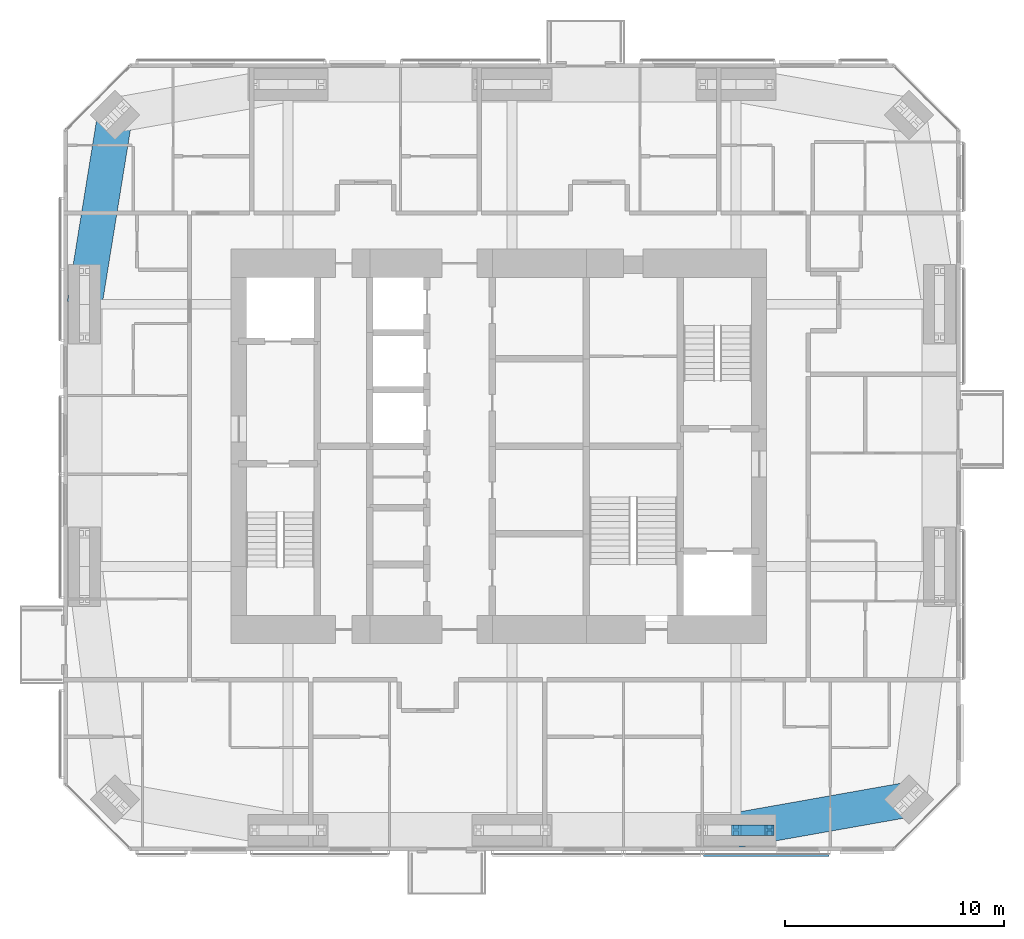
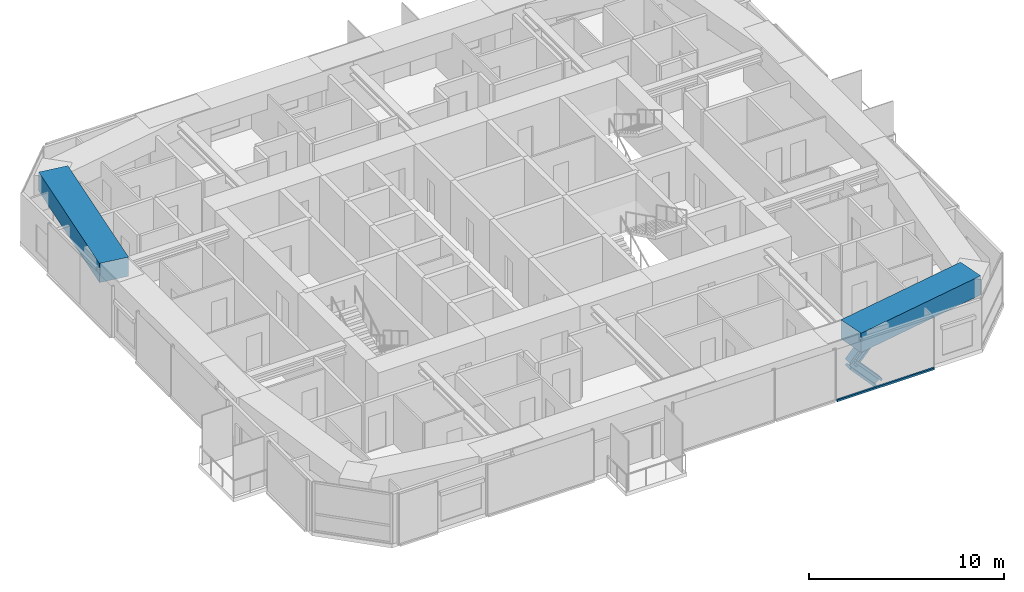
# One storey, part 7 of 23: 3 members, 2 beams, 1 element without a shape of its own.
"""IFC4 building model written with IfcOpenShell, lengths in metres."""

from ifc_helpers import new_model, si_unit, direction, frame, origin, origin_2d, place, context, subcontext, project, spatial, rectangle, i_section, extrude, material, material_profile, profile_set, type_object, element, aggregate, save


model = new_model("IFC4")

# Units and contexts
model_context = context("Model", 3, precision=1e-05, world=origin(), true_north=direction((0.0, 1.0)))
body_context = subcontext(model_context, "Body", "Model", "MODEL_VIEW")
ifc_project = project(units=[si_unit("LENGTHUNIT", "METRE"), si_unit("AREAUNIT", "SQUARE_METRE"), si_unit("VOLUMEUNIT", "CUBIC_METRE"), si_unit("PLANEANGLEUNIT", "RADIAN"), si_unit("MASSUNIT", "GRAM", prefix="KILO")], contexts=[model_context])

# Site, building, storey
site_placement = place(None, origin())
site = spatial("IfcSite", under=ifc_project, at=site_placement, CompositionType="ELEMENT")
building_placement = place(site_placement, origin())
building = spatial("IfcBuilding", under=site, at=building_placement, Name="Jalousie Tower", CompositionType="ELEMENT")
storey_placement = place(building_placement, frame((0.0, 0.0, 184.5)))
storey = spatial("IfcBuildingStorey", under=building, at=storey_placement, Name="L50", CompositionType="ELEMENT", Elevation=184.5)

# Members
ifc_material_1 = material(Name="Steel ASTM A992 Grade 50", Category="steel")
ifc_material_profile_1 = material_profile(ifc_material_1, i_section(OverallWidth=0.472412109375, OverallDepth=0.5791015625, WebThickness=0.094970703125, FlangeThickness=0.1298828125, at=origin_2d()), Name="W14X808")
ifc_profile_set_1 = profile_set([ifc_material_profile_1], Name="Steel ASTM A992 Grade 50")
member_type_1 = type_object("IfcMemberType", Name="PERIMETER BRACE W14X808", PredefinedType="BRACE", material=ifc_profile_set_1)
for number, where, z_axis, x_axis, name in (
    (1, (42.75, 0.949951171875, 1.074951171875), (0.673187629365, 0.0, 0.739471713908), (0.0, 1.0, 0.0), "Perimeter brace 04 L50 part 2"),
    (2, (44.27490234375, 0.949951171875, -0.60009765625), (-0.673187629365, 0.0, 0.739471713908), (0.0, -1.0, 0.0), "Perimeter brace 04 L50 part 3"),
):
    element("IfcMember", number, at=place(storey_placement, frame(where, z_axis=z_axis, x_axis=x_axis)), inside=storey, type_object=member_type_1, Name=name, PredefinedType="BRACE", context=body_context, shape_type="SweptSolid", body=[
        extrude(i_section(OverallWidth=0.472412109375, OverallDepth=0.5791015625, WebThickness=0.094970703125, FlangeThickness=0.1298828125, at=origin_2d()), origin(), (0.0, 0.0, 1.0), 2.26513671875),
    ])

# Beams
ifc_material_2 = material(Name="Concrete f'c 40 MPa", Category="concrete")
ifc_material_profile_2 = material_profile(ifc_material_2, rectangle(XDim=1.60009765625, YDim=1.199951171875, at=origin_2d()), Name="RC 1600x1200")
ifc_profile_set_2 = profile_set([ifc_material_profile_2], Name="Concrete f'c 40 MPa")
beam_type = type_object("IfcBeamType", Name="RC BEAM 1600x1200", PredefinedType="BEAM", material=ifc_profile_set_2)
beam_1_placement = place(storey_placement, frame((42.75, 0.949951171875, 2.75), z_axis=(0.984697370688, 0.174273027632, 0.0), x_axis=(-0.174273027632, 0.984697370688, 0.0)))
element("IfcBeam", 3, at=beam_1_placement, inside=storey, type_object=beam_type, Name="Edge band beam 04-05 under L51", PredefinedType="BEAM", context=body_context, shape_type="SweptSolid", body=[
    extrude(rectangle(XDim=1.60009765625, YDim=1.199951171875, at=origin_2d()), origin(), (0.0, 0.0, 1.0), 8.0244140625),
])
beam_2_placement = place(storey_placement, frame((14.348388671875, 33.651611328125, 2.75), z_axis=(-0.159567878256, -0.987186959106, 0.0), x_axis=(0.987186959106, -0.159567878256, 0.0)))
element("IfcBeam", 4, at=beam_2_placement, inside=storey, type_object=beam_type, Name="Edge band beam 12-13 under L51", PredefinedType="BEAM", context=body_context, shape_type="SweptSolid", body=[
    extrude(rectangle(XDim=1.60009765625, YDim=1.199951171875, at=origin_2d()), origin(), (0.0, 0.0, 1.0), 8.763916015625),
])

# Curtain wall, member
ifc_material_3 = material(Name="Perforated aluminium sheet", Category="aluminium")
curtain_wall_type = type_object("IfcCurtainWallType", Name="SOLAR SCREEN SS-1", PredefinedType="USERDEFINED", material=ifc_material_3)
curtain_wall_placement = place(storey_placement, origin())
curtain_wall = element("IfcCurtainWall", 5, at=curtain_wall_placement, inside=storey, type_object=curtain_wall_type, Name="Solar screen L50", ObjectType="SOLAR SCREEN SS-1", PredefinedType="USERDEFINED")
ifc_material_4 = material(Name="Extruded aluminium screen rail", Category="aluminium")
ifc_material_profile_3 = material_profile(ifc_material_4, rectangle(XDim=0.1015625, YDim=0.1201171875, at=origin_2d()), Name="RAIL 102x120")
ifc_profile_set_3 = profile_set([ifc_material_profile_3], Name="Extruded aluminium screen rail")
member_type_2 = type_object("IfcMemberType", Name="SOLAR SCREEN SS-1 TRANSOM", PredefinedType="USERDEFINED", material=ifc_profile_set_3)
member_placement = place(storey_placement, frame((41.25, -0.1982421875, -0.06005859375), z_axis=(1.0, 0.0, 0.0), x_axis=(0.0, 1.0, 0.0)))
member = element("IfcMember", 6, at=member_placement, type_object=member_type_2, Name="SS1 rail", ObjectType="TRANSOM", PredefinedType="USERDEFINED", context=body_context, shape_type="SweptSolid", body=[
    extrude(rectangle(XDim=0.1015625, YDim=0.1201171875, at=origin_2d()), origin(), (0.0, 0.0, 1.0), 5.75),
])
aggregate(curtain_wall, [member])

save(model, "model.ifc")
